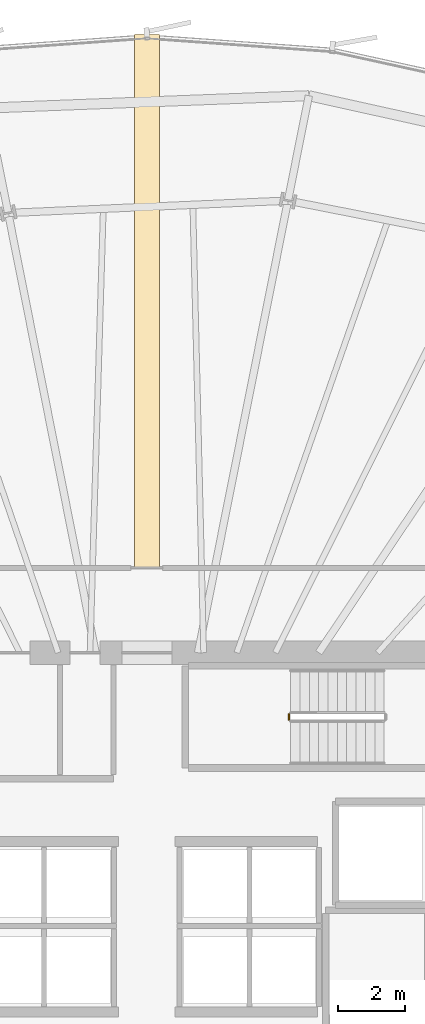
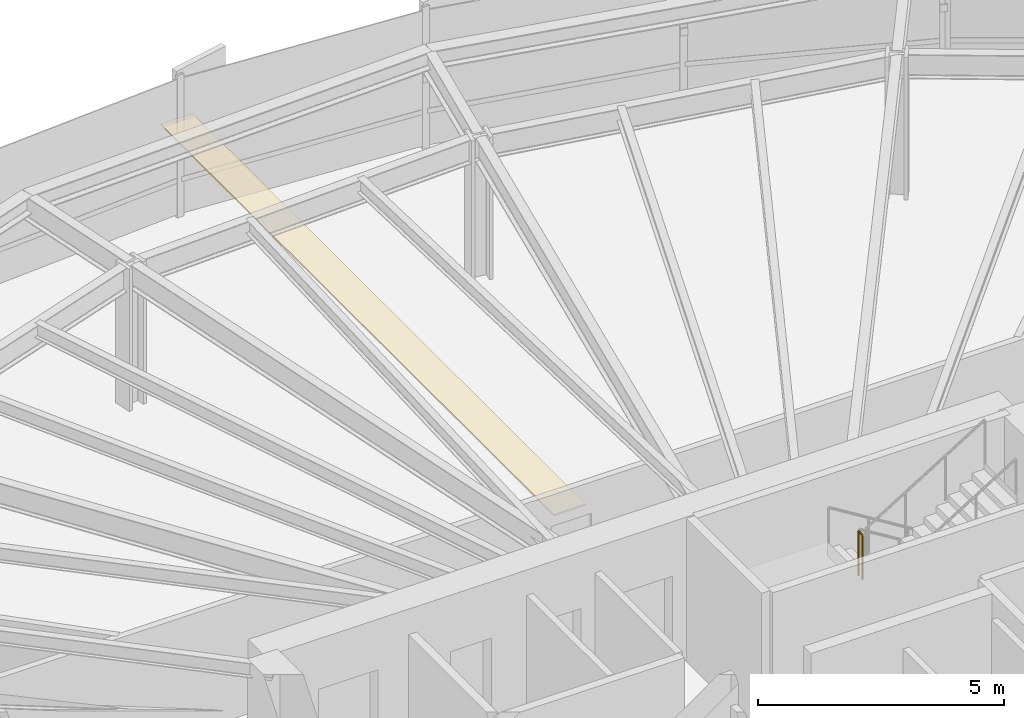
# One storey, part 35 of 38: 1 covering, 1 railing.
"""IFC4 building model written with IfcOpenShell, lengths in metres."""

import ifcopenshell
import ifcopenshell.guid

model = None  # the IFC model being written
_history = None  # IfcOwnerHistory: only IFC2X3 demands one
_inside = {}  # id of a spatial element -> (the spatial element, [elements in it])
_under = {}  # id of a project, library or spatial element -> (it, [spatial elements below it])
_declared = {}  # id of a project -> (the project, [libraries it declares])
_typed = {}  # id of a type object -> (the type object, [elements of that type])
_made_of = {}  # id of a material, layer set ... -> (it, [elements and type objects made of it])


def new_model(schema):
    """Start an empty IFC model of exactly this schema.

    Asked for "IFC4X3", IfcOpenShell would pick the latest addendum, in which some entities
    have other attributes; the version numbers below select the first issue.
    IFC2X3 requires an IfcOwnerHistory on every rooted entity: one is made here for all.
    """
    global model, _history
    if schema == "IFC4X3":
        model = ifcopenshell.file(schema_version=(4, 3, 0, 0))
    else:
        model = ifcopenshell.file(schema=schema)
    _inside.clear()
    _under.clear()
    _declared.clear()
    _typed.clear()
    _made_of.clear()
    _history = None
    if model.schema == "IFC2X3":
        org = make("IfcOrganization", Name="unknown")
        user = make(
            "IfcPersonAndOrganization",
            ThePerson=make("IfcPerson", FamilyName="unknown"),
            TheOrganization=org,
        )
        app = make(
            "IfcApplication",
            ApplicationDeveloper=org,
            Version="unknown",
            ApplicationFullName="unknown",
            ApplicationIdentifier="unknown",
        )
        _history = make(
            "IfcOwnerHistory",
            OwningUser=user,
            OwningApplication=app,
            ChangeAction="ADDED",
            CreationDate=0,
        )
    return model


def make(cls, **values):
    """One entity of the class cls with the attributes given. An attribute that is None is left unset."""
    return model.create_entity(
        cls, **{name: value for name, value in values.items() if value is not None}
    )


def rooted(cls, **values):
    """An entity with a GlobalId (a new one), such as an element, a storey or a relation."""
    return make(cls, GlobalId=ifcopenshell.guid.new(), OwnerHistory=_history, **values)


def si_unit(unit_type, name, prefix=None):
    """IfcSIUnit, for example si_unit("LENGTHUNIT", "METRE", prefix="MILLI")."""
    return make("IfcSIUnit", UnitType=unit_type, Prefix=prefix, Name=name)


def assignment(units):
    """IfcUnitAssignment: the units of a project."""
    return None if units is None else make("IfcUnitAssignment", Units=units)


def point(xyz):
    """IfcCartesianPoint."""
    return None if xyz is None else make("IfcCartesianPoint", Coordinates=xyz)


def direction(xyz):
    """IfcDirection."""
    return None if xyz is None else make("IfcDirection", DirectionRatios=xyz)


def frame(location, z_axis=None, x_axis=None):
    """IfcAxis2Placement3D, a coordinate frame: its origin and axes. An axis left out is left unset."""
    return make(
        "IfcAxis2Placement3D",
        Location=point(location),
        Axis=direction(z_axis),
        RefDirection=direction(x_axis),
    )


def frame_2d(location, x_axis=None):
    """IfcAxis2Placement2D, a coordinate frame in the plane: its origin and x axis."""
    return make(
        "IfcAxis2Placement2D", Location=point(location), RefDirection=direction(x_axis)
    )


def origin():
    """The frame at (0, 0, 0) with its axes left unset."""
    return frame((0.0, 0.0, 0.0))


def origin_2d():
    """The frame at (0, 0) in the plane with its x axis left unset."""
    return frame_2d((0.0, 0.0))


def place(relative_to, where):
    """IfcLocalPlacement: puts the frame where relative to a parent placement (None: the world)."""
    return make(
        "IfcLocalPlacement", PlacementRelTo=relative_to, RelativePlacement=where
    )


def context(
    kind, dimensions, precision=None, world=None, true_north=None, identifier=None
):
    """IfcGeometricRepresentationContext, for example the 3D "Model" context."""
    return make(
        "IfcGeometricRepresentationContext",
        ContextIdentifier=identifier,
        ContextType=kind,
        CoordinateSpaceDimension=dimensions,
        Precision=precision,
        WorldCoordinateSystem=world,
        TrueNorth=true_north,
    )


def subcontext(parent, identifier, kind, view, scale=None):
    """IfcGeometricRepresentationSubContext, for example "Body" below "Model"."""
    return make(
        "IfcGeometricRepresentationSubContext",
        ContextIdentifier=identifier,
        ContextType=kind,
        ParentContext=parent,
        TargetScale=scale,
        TargetView=view,
    )


def project(units=None, contexts=None):
    """IfcProject with its units and contexts."""
    return rooted(
        "IfcProject",
        Name="project",
        RepresentationContexts=contexts,
        UnitsInContext=assignment(units),
    )


def spatial(cls, under=None, at=None, **own):
    """A site, building, storey or space (cls), placed at a placement, below another one or the project."""
    s = rooted(cls, ObjectPlacement=at, **own)
    if under is not None:
        _under.setdefault(under.id(), (under, []))[1].append(s)
    return s


def polyline(points):
    """IfcPolyline through the points."""
    return make("IfcPolyline", Points=[point(p) for p in points])


def profile(cls, at=None, kind="AREA", **sizes):
    """A parametric profile (cls). Its sizes go by their IFC names, for example OverallWidth=200.0."""
    return make(cls, ProfileType=kind, Position=at, **sizes)


def circle(**sizes):
    """IfcCircleProfileDef."""
    return profile("IfcCircleProfileDef", **sizes)


def outline(outer, holes=None, kind="AREA"):
    """IfcArbitraryClosedProfileDef: a profile drawn as a closed curve; with holes, ...WithVoids."""
    if holes is None:
        return make("IfcArbitraryClosedProfileDef", ProfileType=kind, OuterCurve=outer)
    return make(
        "IfcArbitraryProfileDefWithVoids",
        ProfileType=kind,
        OuterCurve=outer,
        InnerCurves=holes,
    )


def extrude(swept, where, along, depth):
    """IfcExtrudedAreaSolid: the profile swept, set in the frame where, extruded along a direction by depth."""
    return make(
        "IfcExtrudedAreaSolid",
        SweptArea=swept,
        Position=where,
        ExtrudedDirection=direction(along),
        Depth=depth,
    )


def shape(context_of_items, identifier, shape_type, items):
    """IfcShapeRepresentation: the items that make up one representation, for example the "Body"."""
    return make(
        "IfcShapeRepresentation",
        ContextOfItems=context_of_items,
        RepresentationIdentifier=identifier,
        RepresentationType=shape_type,
        Items=items,
    )


def material(Name=None, Category=None):
    """IfcMaterial."""
    return make("IfcMaterial", Name=Name, Category=Category)


def layer(
    of_material, thickness, ventilated=None, Name=None, Category=None, Priority=None
):
    """IfcMaterialLayer: one layer of a wall or slab, of a material (None: an air gap)."""
    return make(
        "IfcMaterialLayer",
        Material=of_material,
        LayerThickness=thickness,
        IsVentilated=ventilated,
        Name=Name,
        Category=Category,
        Priority=Priority,
    )


def layer_set(layers, Name=None):
    """IfcMaterialLayerSet."""
    return make("IfcMaterialLayerSet", MaterialLayers=layers, LayerSetName=Name)


def made_of(thing, what):
    """Note that an element or type object is made of a material, layer set ...; save() writes the relation."""
    if what is not None:
        _made_of.setdefault(what.id(), (what, []))[1].append(thing)
    return thing


def type_object(cls, material=None, **own):
    """A type object (cls), such as IfcWallType, which elements share."""
    return made_of(rooted(cls, **own), material)


def element(
    cls,
    number,
    at=None,
    inside=None,
    cuts=None,
    type_object=None,
    material=None,
    context=None,
    identifier="Body",
    shape_type=None,
    held_by="IfcProductDefinitionShape",
    body=None,
    shapes=None,
    **own,
):
    """One element of the class cls, such as IfcWall. Its Tag is "e" and its number.

    at: its placement. inside: the storey or other place that contains it. cuts: it is an
    opening in that element (IfcRelVoidsElement). A single representation is given by context,
    identifier, shape_type and body (its items); several are given by shapes. held_by: the class
    of the entity that holds the representations. save() writes the other relations.
    """
    e = rooted(cls, Tag="e%d" % number, ObjectPlacement=at, **own)
    if body is not None:
        shapes = [shape(context, identifier, shape_type, body)]
    if shapes is not None:
        e.Representation = make(held_by, Representations=shapes)
    if inside is not None:
        _inside.setdefault(inside.id(), (inside, []))[1].append(e)
    if cuts is not None:
        rooted(
            "IfcRelVoidsElement", RelatingBuildingElement=cuts, RelatedOpeningElement=e
        )
    if type_object is not None:
        _typed.setdefault(type_object.id(), (type_object, []))[1].append(e)
    return made_of(e, material)


def aggregate(whole, parts):
    """IfcRelAggregates: a whole, such as a stair, and the parts it consists of."""
    return rooted("IfcRelAggregates", RelatingObject=whole, RelatedObjects=parts)


def save(model, path):
    """Write the relations noted so far, then the file.

    IfcRelAggregates (storeys below a building ...), IfcRelContainedInSpatialStructure (elements
    in a storey), IfcRelDefinesByType, IfcRelAssociatesMaterial and IfcRelDeclares: one each for
    every whole, place, type object, material and project.
    """
    for whole, parts in _under.values():
        aggregate(whole, parts)
    for where, things in _inside.values():
        rooted(
            "IfcRelContainedInSpatialStructure",
            RelatedElements=things,
            RelatingStructure=where,
        )
    for kind, things in _typed.values():
        rooted("IfcRelDefinesByType", RelatedObjects=things, RelatingType=kind)
    for what, things in _made_of.values():
        rooted("IfcRelAssociatesMaterial", RelatedObjects=things, RelatingMaterial=what)
    for by, libraries in _declared.values():
        rooted("IfcRelDeclares", RelatingContext=by, RelatedDefinitions=libraries)
    model.write(path)


model = new_model("IFC4")

# Units and contexts
model_context = context("Model", 3, precision=1e-05, world=origin(), true_north=direction((0.0, 1.0)))
body_context = subcontext(model_context, "Body", "Model", "MODEL_VIEW")
ifc_project = project(units=[si_unit("LENGTHUNIT", "METRE"), si_unit("AREAUNIT", "SQUARE_METRE"), si_unit("VOLUMEUNIT", "CUBIC_METRE"), si_unit("PLANEANGLEUNIT", "RADIAN"), si_unit("MASSUNIT", "GRAM", prefix="KILO"), si_unit("THERMODYNAMICTEMPERATUREUNIT", "KELVIN")], contexts=[model_context])

# Site, building, storey
site_placement = place(None, origin())
site = spatial("IfcSite", under=ifc_project, at=site_placement, CompositionType="ELEMENT")
building_placement = place(site_placement, origin())
building = spatial("IfcBuilding", under=site, at=building_placement, Name="Kethvar Cultural Tower", CompositionType="ELEMENT")
storey_placement = place(building_placement, frame((0.0, 0.0, 29.60009765625)))
storey = spatial("IfcBuildingStorey", under=building, at=storey_placement, Name="L06", CompositionType="ELEMENT", Elevation=29.60009765625)

# Covering
ifc_material_1 = material(Name="Acoustic Mineral Fibre Ceiling")
ifc_layer = layer(ifc_material_1, 0.0400390625, Name="Acoustic Mineral Fibre Ceiling")
ifc_layer_set = layer_set([ifc_layer], Name="Acoustic Mineral Fibre Ceiling (40 mm)")
covering_type = type_object("IfcCoveringType", Name="CV-ACOUSTIC-CEIL", PredefinedType="CEILING", material=ifc_layer_set)
covering_placement = place(storey_placement, frame((0.0, 0.0, 2.33984375)))
element("IfcCovering", 1, at=covering_placement, inside=storey, type_object=covering_type, Name="L06 Room 03 Acoustic Ceiling Panel", PredefinedType="CEILING", context=body_context, shape_type="SweptSolid", body=[
    extrude(outline(polyline([(46.425048828125, 53.9931640625), (47.175048828125, 53.9931640625), (47.175048828125, 38.02001953125), (46.425048828125, 38.02001953125), (46.425048828125, 53.9931640625)])), origin(), (0.0, 0.0, 1.0), 0.0400390625),
])

# Railing
ifc_material_2 = material(Name="Steel S355J2", Category="steel")
railing_type = type_object("IfcRailingType", Name="RL-STAIR-GUARD", PredefinedType="BALUSTRADE", material=ifc_material_2)
railing_placement = place(storey_placement, frame((51.050048828125, 33.659912109375, 1.89990234375)))
element("IfcRailing", 2, at=railing_placement, inside=storey, type_object=railing_type, Name="L06 ST-03 stair guard 2", PredefinedType="BALUSTRADE", context=body_context, shape_type="SweptSolid", body=[
    extrude(circle(Radius=0.02392578125, at=origin_2d()), frame((0.0, 0.0, 1.09619140625), z_axis=(0.0, -1.0, 0.0), x_axis=(1.0, 0.0, 0.0)), (0.0, 0.0, 1.0), 0.159912109375),
    extrude(circle(Radius=0.02099609375, at=origin_2d()), origin(), (0.0, 0.0, 1.0), 1.072021484375),
    extrude(circle(Radius=0.02099609375, at=origin_2d()), frame((0.0, -0.159912109375, 0.0)), (0.0, 0.0, 1.0), 1.072021484375),
])

save(model, "model.ifc")
